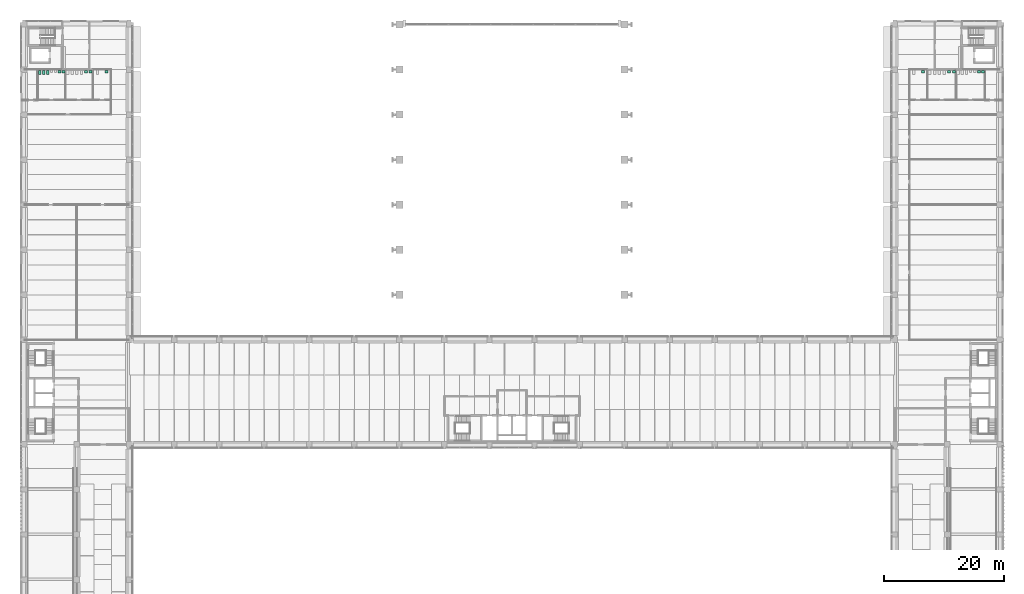
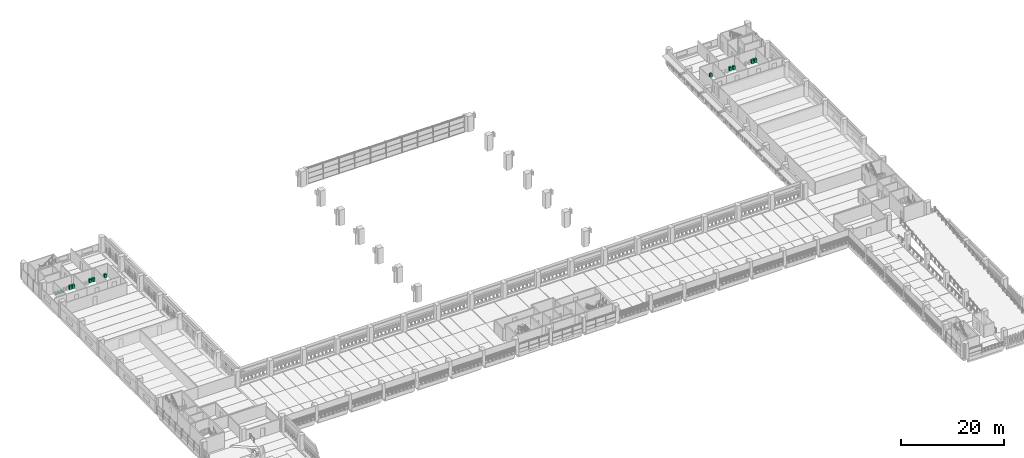
# One storey, part 55 of 57: 13 sanitary terminals.
"""IFC4 building model written with IfcOpenShell, lengths in metres."""

from ifc_helpers import new_model, si_unit, direction, frame, origin, origin_2d, place, context, subcontext, project, spatial, rectangle, extrude, material, type_object, element, save


model = new_model("IFC4")

# Units and contexts
model_context = context("Model", 3, precision=1e-05, world=origin(), true_north=direction((0.0, 1.0)))
body_context = subcontext(model_context, "Body", "Model", "MODEL_VIEW")
ifc_project = project(units=[si_unit("LENGTHUNIT", "METRE"), si_unit("AREAUNIT", "SQUARE_METRE"), si_unit("VOLUMEUNIT", "CUBIC_METRE"), si_unit("PLANEANGLEUNIT", "RADIAN"), si_unit("MASSUNIT", "GRAM", prefix="KILO")], contexts=[model_context])

# Site, building, storey
site_placement = place(None, origin())
site = spatial("IfcSite", under=ifc_project, at=site_placement, CompositionType="ELEMENT")
building_placement = place(site_placement, origin())
building = spatial("IfcBuilding", under=site, at=building_placement, Name="Cour d'Honneur Mobility Palace", CompositionType="ELEMENT")
storey_placement = place(building_placement, frame((0.0, 0.0, 8.199951171875)))
storey = spatial("IfcBuildingStorey", under=building, at=storey_placement, Name="L02", CompositionType="ELEMENT", Elevation=8.199951171875)

# Sanitary terminals
ifc_material_1 = material(Name="Vitreous china")
sanitary_terminal_type_1 = type_object("IfcSanitaryTerminalType", Name="Wash basin", PredefinedType="WASHHANDBASIN", material=ifc_material_1)
for number, where, z_axis, x_axis, name in (
    (1, (5.814208984375, 107.054931640625, 0.0), (0.0, 0.0, 1.0), (1.0, 0.0, 0.0), "Wash basin WC Men West"),
    (2, (6.471435546875, 107.054931640625, 0.0), (0.0, 0.0, 1.0), (1.0, 0.0, 0.0), "Wash basin WC Men West"),
    (3, (10.25, 107.054931640625, 0.0), (0.0, 0.0, 1.0), (1.0, 0.0, 0.0), "Wash basin WC Women West"),
    (4, (11.0166015625, 107.054931640625, 0.0), (0.0, 0.0, 1.0), (1.0, 0.0, 0.0), "Wash basin WC Women West"),
    (5, (13.64990234375, 107.054931640625, 0.0), (0.0, 0.0, 1.0), (1.0, 0.0, 0.0), "Wash basin Accessible WC West"),
    (6, (158.871337890625, 107.054931640625, 0.0), (0.0, 0.0, 1.0), (1.0, 0.0, 0.0), "Wash basin WC Men East"),
    (7, (159.55712890625, 107.054931640625, 0.0), (0.0, 0.0, 1.0), (1.0, 0.0, 0.0), "Wash basin WC Men East"),
    (8, (153.89990234375, 107.054931640625, 0.0), (0.0, 0.0, 1.0), (1.0, 0.0, 0.0), "Wash basin WC Women East"),
    (9, (154.699951171875, 107.054931640625, 0.0), (0.0, 0.0, 1.0), (1.0, 0.0, 0.0), "Wash basin WC Women East"),
    (10, (149.550048828125, 107.054931640625, 0.0), (0.0, 0.0, 1.0), (1.0, 0.0, 0.0), "Wash basin Accessible WC East"),
):
    element("IfcSanitaryTerminal", number, at=place(storey_placement, frame(where, z_axis=z_axis, x_axis=x_axis)), inside=storey, type_object=sanitary_terminal_type_1, Name=name, PredefinedType="WASHHANDBASIN", context=body_context, shape_type="SweptSolid", body=[
        extrude(rectangle(XDim=0.5, YDim=0.449951171875, at=origin_2d()), origin(), (0.0, 0.0, 1.0), 0.85009765625),
    ])
ifc_material_2 = material(Name="Vitreous china")
sanitary_terminal_type_2 = type_object("IfcSanitaryTerminalType", Name="Water closet", PredefinedType="WCSEAT", material=ifc_material_2)
for number, where, z_axis, x_axis, name in (
    (11, (2.528564453125, 106.929931640625, 0.0), (0.0, 0.0, 1.0), (1.0, 0.0, 0.0), "Water closet WC Men West"),
    (12, (3.185791015625, 106.929931640625, 0.0), (0.0, 0.0, 1.0), (1.0, 0.0, 0.0), "Water closet WC Men West"),
    (13, (3.843017578125, 106.929931640625, 0.0), (0.0, 0.0, 1.0), (1.0, 0.0, 0.0), "Water closet WC Men West"),
):
    element("IfcSanitaryTerminal", number, at=place(storey_placement, frame(where, z_axis=z_axis, x_axis=x_axis)), inside=storey, type_object=sanitary_terminal_type_2, Name=name, PredefinedType="WCSEAT", context=body_context, shape_type="SweptSolid", body=[
        extrude(rectangle(XDim=0.39990234375, YDim=0.699951171875, at=origin_2d()), origin(), (0.0, 0.0, 1.0), 0.39990234375),
    ])

save(model, "model.ifc")
